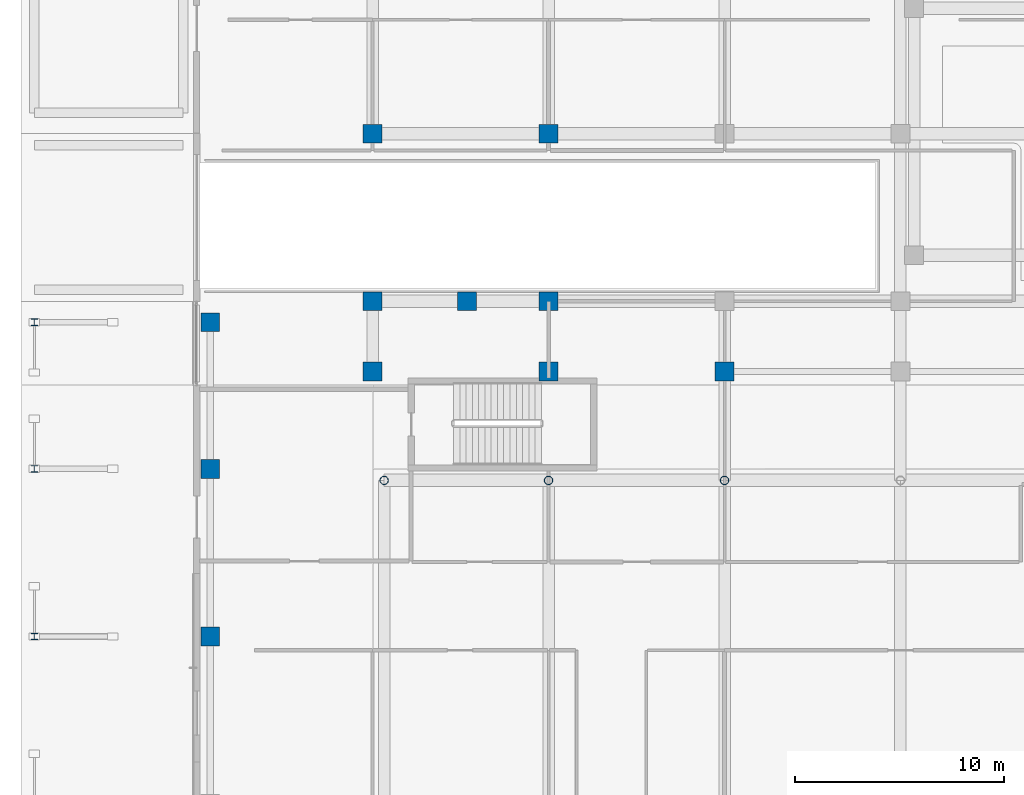
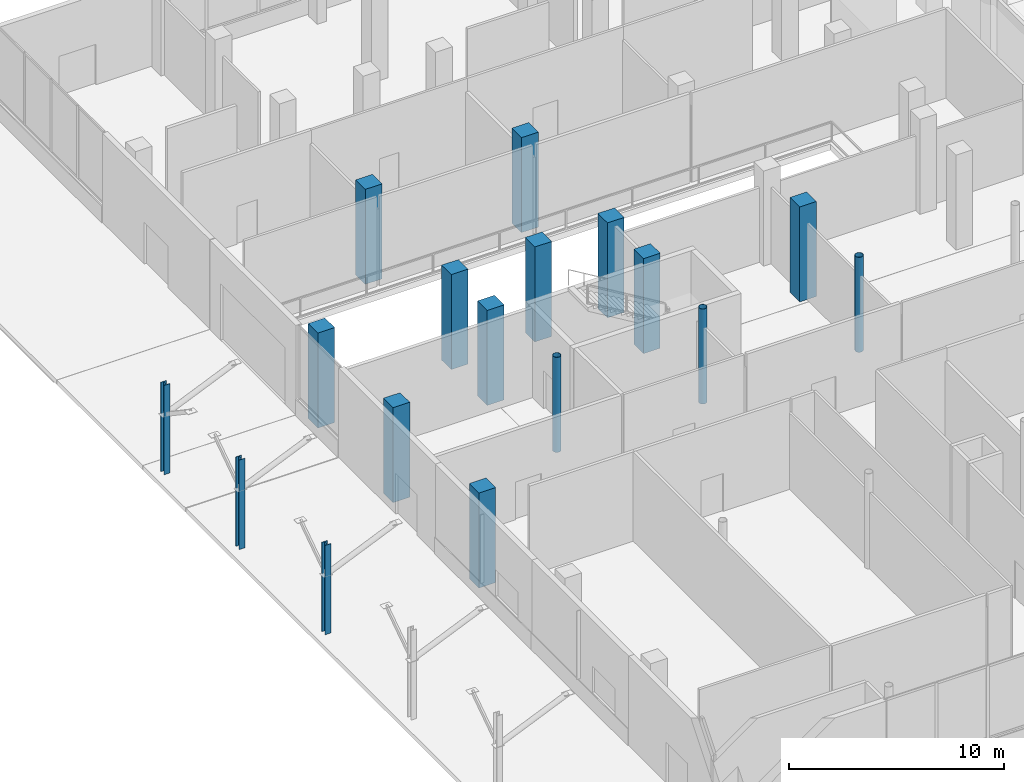
# One storey, part 8 of 158: 17 columns.
"""IFC4 building model written with IfcOpenShell, lengths in metres."""

import ifcopenshell
import ifcopenshell.guid

model = None  # the IFC model being written
_history = None  # IfcOwnerHistory: only IFC2X3 demands one
_inside = {}  # id of a spatial element -> (the spatial element, [elements in it])
_under = {}  # id of a project, library or spatial element -> (it, [spatial elements below it])
_declared = {}  # id of a project -> (the project, [libraries it declares])
_typed = {}  # id of a type object -> (the type object, [elements of that type])
_made_of = {}  # id of a material, layer set ... -> (it, [elements and type objects made of it])


def new_model(schema):
    """Start an empty IFC model of exactly this schema.

    Asked for "IFC4X3", IfcOpenShell would pick the latest addendum, in which some entities
    have other attributes; the version numbers below select the first issue.
    IFC2X3 requires an IfcOwnerHistory on every rooted entity: one is made here for all.
    """
    global model, _history
    if schema == "IFC4X3":
        model = ifcopenshell.file(schema_version=(4, 3, 0, 0))
    else:
        model = ifcopenshell.file(schema=schema)
    _inside.clear()
    _under.clear()
    _declared.clear()
    _typed.clear()
    _made_of.clear()
    _history = None
    if model.schema == "IFC2X3":
        org = make("IfcOrganization", Name="unknown")
        user = make(
            "IfcPersonAndOrganization",
            ThePerson=make("IfcPerson", FamilyName="unknown"),
            TheOrganization=org,
        )
        app = make(
            "IfcApplication",
            ApplicationDeveloper=org,
            Version="unknown",
            ApplicationFullName="unknown",
            ApplicationIdentifier="unknown",
        )
        _history = make(
            "IfcOwnerHistory",
            OwningUser=user,
            OwningApplication=app,
            ChangeAction="ADDED",
            CreationDate=0,
        )
    return model


def make(cls, **values):
    """One entity of the class cls with the attributes given. An attribute that is None is left unset."""
    return model.create_entity(
        cls, **{name: value for name, value in values.items() if value is not None}
    )


def rooted(cls, **values):
    """An entity with a GlobalId (a new one), such as an element, a storey or a relation."""
    return make(cls, GlobalId=ifcopenshell.guid.new(), OwnerHistory=_history, **values)


def si_unit(unit_type, name, prefix=None):
    """IfcSIUnit, for example si_unit("LENGTHUNIT", "METRE", prefix="MILLI")."""
    return make("IfcSIUnit", UnitType=unit_type, Prefix=prefix, Name=name)


def assignment(units):
    """IfcUnitAssignment: the units of a project."""
    return None if units is None else make("IfcUnitAssignment", Units=units)


def point(xyz):
    """IfcCartesianPoint."""
    return None if xyz is None else make("IfcCartesianPoint", Coordinates=xyz)


def direction(xyz):
    """IfcDirection."""
    return None if xyz is None else make("IfcDirection", DirectionRatios=xyz)


def frame(location, z_axis=None, x_axis=None):
    """IfcAxis2Placement3D, a coordinate frame: its origin and axes. An axis left out is left unset."""
    return make(
        "IfcAxis2Placement3D",
        Location=point(location),
        Axis=direction(z_axis),
        RefDirection=direction(x_axis),
    )


def frame_2d(location, x_axis=None):
    """IfcAxis2Placement2D, a coordinate frame in the plane: its origin and x axis."""
    return make(
        "IfcAxis2Placement2D", Location=point(location), RefDirection=direction(x_axis)
    )


def origin():
    """The frame at (0, 0, 0) with its axes left unset."""
    return frame((0.0, 0.0, 0.0))


def origin_2d():
    """The frame at (0, 0) in the plane with its x axis left unset."""
    return frame_2d((0.0, 0.0))


def place(relative_to, where):
    """IfcLocalPlacement: puts the frame where relative to a parent placement (None: the world)."""
    return make(
        "IfcLocalPlacement", PlacementRelTo=relative_to, RelativePlacement=where
    )


def context(
    kind, dimensions, precision=None, world=None, true_north=None, identifier=None
):
    """IfcGeometricRepresentationContext, for example the 3D "Model" context."""
    return make(
        "IfcGeometricRepresentationContext",
        ContextIdentifier=identifier,
        ContextType=kind,
        CoordinateSpaceDimension=dimensions,
        Precision=precision,
        WorldCoordinateSystem=world,
        TrueNorth=true_north,
    )


def subcontext(parent, identifier, kind, view, scale=None):
    """IfcGeometricRepresentationSubContext, for example "Body" below "Model"."""
    return make(
        "IfcGeometricRepresentationSubContext",
        ContextIdentifier=identifier,
        ContextType=kind,
        ParentContext=parent,
        TargetScale=scale,
        TargetView=view,
    )


def project(units=None, contexts=None):
    """IfcProject with its units and contexts."""
    return rooted(
        "IfcProject",
        Name="project",
        RepresentationContexts=contexts,
        UnitsInContext=assignment(units),
    )


def spatial(cls, under=None, at=None, **own):
    """A site, building, storey or space (cls), placed at a placement, below another one or the project."""
    s = rooted(cls, ObjectPlacement=at, **own)
    if under is not None:
        _under.setdefault(under.id(), (under, []))[1].append(s)
    return s


def profile(cls, at=None, kind="AREA", **sizes):
    """A parametric profile (cls). Its sizes go by their IFC names, for example OverallWidth=200.0."""
    return make(cls, ProfileType=kind, Position=at, **sizes)


def rectangle(**sizes):
    """IfcRectangleProfileDef."""
    return profile("IfcRectangleProfileDef", **sizes)


def hollow_circle(**sizes):
    """IfcCircleHollowProfileDef."""
    return profile("IfcCircleHollowProfileDef", **sizes)


def i_section(**sizes):
    """IfcIShapeProfileDef."""
    return profile("IfcIShapeProfileDef", **sizes)


def extrude(swept, where, along, depth):
    """IfcExtrudedAreaSolid: the profile swept, set in the frame where, extruded along a direction by depth."""
    return make(
        "IfcExtrudedAreaSolid",
        SweptArea=swept,
        Position=where,
        ExtrudedDirection=direction(along),
        Depth=depth,
    )


def shape(context_of_items, identifier, shape_type, items):
    """IfcShapeRepresentation: the items that make up one representation, for example the "Body"."""
    return make(
        "IfcShapeRepresentation",
        ContextOfItems=context_of_items,
        RepresentationIdentifier=identifier,
        RepresentationType=shape_type,
        Items=items,
    )


def material(Name=None, Category=None):
    """IfcMaterial."""
    return make("IfcMaterial", Name=Name, Category=Category)


def material_profile(
    of_material, cross_section, Name=None, Category=None, Priority=None
):
    """IfcMaterialProfile: a cross section and its material."""
    return make(
        "IfcMaterialProfile",
        Name=Name,
        Material=of_material,
        Profile=cross_section,
        Priority=Priority,
        Category=Category,
    )


def profile_set(profiles, Name=None, composite=None):
    """IfcMaterialProfileSet."""
    return make(
        "IfcMaterialProfileSet",
        Name=Name,
        MaterialProfiles=profiles,
        CompositeProfile=composite,
    )


def made_of(thing, what):
    """Note that an element or type object is made of a material, layer set ...; save() writes the relation."""
    if what is not None:
        _made_of.setdefault(what.id(), (what, []))[1].append(thing)
    return thing


def type_object(cls, material=None, **own):
    """A type object (cls), such as IfcWallType, which elements share."""
    return made_of(rooted(cls, **own), material)


def element(
    cls,
    number,
    at=None,
    inside=None,
    cuts=None,
    type_object=None,
    material=None,
    context=None,
    identifier="Body",
    shape_type=None,
    held_by="IfcProductDefinitionShape",
    body=None,
    shapes=None,
    **own,
):
    """One element of the class cls, such as IfcWall. Its Tag is "e" and its number.

    at: its placement. inside: the storey or other place that contains it. cuts: it is an
    opening in that element (IfcRelVoidsElement). A single representation is given by context,
    identifier, shape_type and body (its items); several are given by shapes. held_by: the class
    of the entity that holds the representations. save() writes the other relations.
    """
    e = rooted(cls, Tag="e%d" % number, ObjectPlacement=at, **own)
    if body is not None:
        shapes = [shape(context, identifier, shape_type, body)]
    if shapes is not None:
        e.Representation = make(held_by, Representations=shapes)
    if inside is not None:
        _inside.setdefault(inside.id(), (inside, []))[1].append(e)
    if cuts is not None:
        rooted(
            "IfcRelVoidsElement", RelatingBuildingElement=cuts, RelatedOpeningElement=e
        )
    if type_object is not None:
        _typed.setdefault(type_object.id(), (type_object, []))[1].append(e)
    return made_of(e, material)


def aggregate(whole, parts):
    """IfcRelAggregates: a whole, such as a stair, and the parts it consists of."""
    return rooted("IfcRelAggregates", RelatingObject=whole, RelatedObjects=parts)


def save(model, path):
    """Write the relations noted so far, then the file.

    IfcRelAggregates (storeys below a building ...), IfcRelContainedInSpatialStructure (elements
    in a storey), IfcRelDefinesByType, IfcRelAssociatesMaterial and IfcRelDeclares: one each for
    every whole, place, type object, material and project.
    """
    for whole, parts in _under.values():
        aggregate(whole, parts)
    for where, things in _inside.values():
        rooted(
            "IfcRelContainedInSpatialStructure",
            RelatedElements=things,
            RelatingStructure=where,
        )
    for kind, things in _typed.values():
        rooted("IfcRelDefinesByType", RelatedObjects=things, RelatingType=kind)
    for what, things in _made_of.values():
        rooted("IfcRelAssociatesMaterial", RelatedObjects=things, RelatingMaterial=what)
    for by, libraries in _declared.values():
        rooted("IfcRelDeclares", RelatingContext=by, RelatedDefinitions=libraries)
    model.write(path)


model = new_model("IFC4")

# Units and contexts
model_context = context("Model", 3, precision=1e-05, world=origin(), true_north=direction((0.0, 1.0)))
body_context = subcontext(model_context, "Body", "Model", "MODEL_VIEW")
ifc_project = project(units=[si_unit("LENGTHUNIT", "METRE"), si_unit("AREAUNIT", "SQUARE_METRE"), si_unit("VOLUMEUNIT", "CUBIC_METRE"), si_unit("PLANEANGLEUNIT", "RADIAN"), si_unit("MASSUNIT", "GRAM", prefix="KILO")], contexts=[model_context])

# Site, building, storey
site_placement = place(None, origin())
site = spatial("IfcSite", under=ifc_project, at=site_placement, CompositionType="ELEMENT")
building_placement = place(site_placement, origin())
building = spatial("IfcBuilding", under=site, at=building_placement, Name="Selatvlak General Hospital", CompositionType="ELEMENT")
storey_placement = place(building_placement, origin())
storey = spatial("IfcBuildingStorey", under=building, at=storey_placement, Name="L00", CompositionType="ELEMENT", Elevation=0.0)

# Columns
ifc_material_1 = material(Name="Steel S355", Category="steel")
ifc_material_profile_1 = material_profile(ifc_material_1, hollow_circle(Radius=0.203125, WallThickness=0.01611328125, at=origin_2d()), Name="CHS 406.4x16")
ifc_profile_set_1 = profile_set([ifc_material_profile_1], Name="Steel S355")
column_type_1 = type_object("IfcColumnType", Name="COL-CHS406", PredefinedType="COLUMN", material=ifc_profile_set_1)
for number, where, z_axis, x_axis, name in (
    (1, (23.35009765625, 83.449951171875, 0.0), (0.0, 0.0, 1.0), (1.0, 0.0, 0.0), "Column 003 on L00"),
    (2, (31.199951171875, 83.449951171875, 0.0), (0.0, 0.0, 1.0), (1.0, 0.0, 0.0), "Column 006 on L00"),
    (3, (39.60009765625, 83.449951171875, 0.0), (0.0, 0.0, 1.0), (1.0, 0.0, 0.0), "Column 009 on L00"),
):
    element("IfcColumn", number, at=place(storey_placement, frame(where, z_axis=z_axis, x_axis=x_axis)), inside=storey, type_object=column_type_1, Name=name, PredefinedType="COLUMN", context=body_context, shape_type="SweptSolid", body=[
        extrude(hollow_circle(Radius=0.203125, WallThickness=0.01611328125, at=origin_2d()), origin(), (0.0, 0.0, 1.0), 5.39990234375),
    ])
ifc_material_2 = material(Name="Concrete C50/60", Category="concrete")
ifc_material_profile_2 = material_profile(ifc_material_2, rectangle(XDim=0.89990234375, YDim=0.89990234375, at=origin_2d()), Name="RC-COL 900x900")
ifc_profile_set_2 = profile_set([ifc_material_profile_2], Name="Concrete C50/60")
column_type_2 = type_object("IfcColumnType", Name="COL-RC90", PredefinedType="COLUMN", material=ifc_profile_set_2)
for number, where, z_axis, x_axis, name in (
    (4, (15.050048828125, 76.0, 0.0), (0.0, 0.0, 1.0), (1.0, 0.0, 0.0), "Column 066 on L00"),
    (5, (15.050048828125, 84.0, 0.0), (0.0, 0.0, 1.0), (1.0, 0.0, 0.0), "Column 068 on L00"),
    (6, (15.050048828125, 91.0, 0.0), (0.0, 0.0, 1.0), (1.0, 0.0, 0.0), "Column 070 on L00"),
    (7, (27.300048828125, 92.0, 0.0), (0.0, 0.0, 1.0), (1.0, 0.0, 0.0), "Column 111 on L00"),
    (8, (22.800048828125, 88.64990234375, 0.0), (0.0, 0.0, 1.0), (1.0, 0.0, 0.0), "Column 158 on L00"),
    (9, (22.800048828125, 92.0, 0.0), (0.0, 0.0, 1.0), (1.0, 0.0, 0.0), "Column 159 on L00"),
    (10, (22.800048828125, 100.0, 0.0), (0.0, 0.0, 1.0), (1.0, 0.0, 0.0), "Column 160 on L00"),
    (11, (31.199951171875, 88.64990234375, 0.0), (0.0, 0.0, 1.0), (1.0, 0.0, 0.0), "Column 164 on L00"),
    (12, (31.199951171875, 92.0, 0.0), (0.0, 0.0, 1.0), (1.0, 0.0, 0.0), "Column 165 on L00"),
    (13, (31.199951171875, 100.0, 0.0), (0.0, 0.0, 1.0), (1.0, 0.0, 0.0), "Column 166 on L00"),
    (14, (39.60009765625, 88.64990234375, 0.0), (0.0, 0.0, 1.0), (1.0, 0.0, 0.0), "Column 170 on L00"),
):
    element("IfcColumn", number, at=place(storey_placement, frame(where, z_axis=z_axis, x_axis=x_axis)), inside=storey, type_object=column_type_2, Name=name, PredefinedType="COLUMN", context=body_context, shape_type="SweptSolid", body=[
        extrude(rectangle(XDim=0.89990234375, YDim=0.89990234375, at=origin_2d()), origin(), (0.0, 0.0, 1.0), 5.39990234375),
    ])
ifc_material_profile_3 = material_profile(ifc_material_1, i_section(OverallWidth=0.30908203125, OverallDepth=0.320556640625, WebThickness=0.013916015625, FlangeThickness=0.021728515625, at=origin_2d()), Name="UC 305x305x137")
ifc_profile_set_3 = profile_set([ifc_material_profile_3], Name="Steel S355")
column_type_3 = type_object("IfcColumnType", Name="COL-UC305", PredefinedType="COLUMN", material=ifc_profile_set_3)
for number, where, z_axis, x_axis, name in (
    (15, (6.64990234375, 76.0, 0.0), (0.0, 0.0, 1.0), (1.0, 0.0, 0.0), "Column 065 on L00"),
    (16, (6.64990234375, 84.0, 0.0), (0.0, 0.0, 1.0), (1.0, 0.0, 0.0), "Column 067 on L00"),
    (17, (6.64990234375, 91.0, 0.0), (0.0, 0.0, 1.0), (1.0, 0.0, 0.0), "Column 069 on L00"),
):
    element("IfcColumn", number, at=place(storey_placement, frame(where, z_axis=z_axis, x_axis=x_axis)), inside=storey, type_object=column_type_3, Name=name, PredefinedType="COLUMN", context=body_context, shape_type="SweptSolid", body=[
        extrude(i_section(OverallWidth=0.30908203125, OverallDepth=0.320556640625, WebThickness=0.013916015625, FlangeThickness=0.021728515625, at=origin_2d()), origin(), (0.0, 0.0, 1.0), 5.080078125),
    ])

save(model, "model.ifc")
